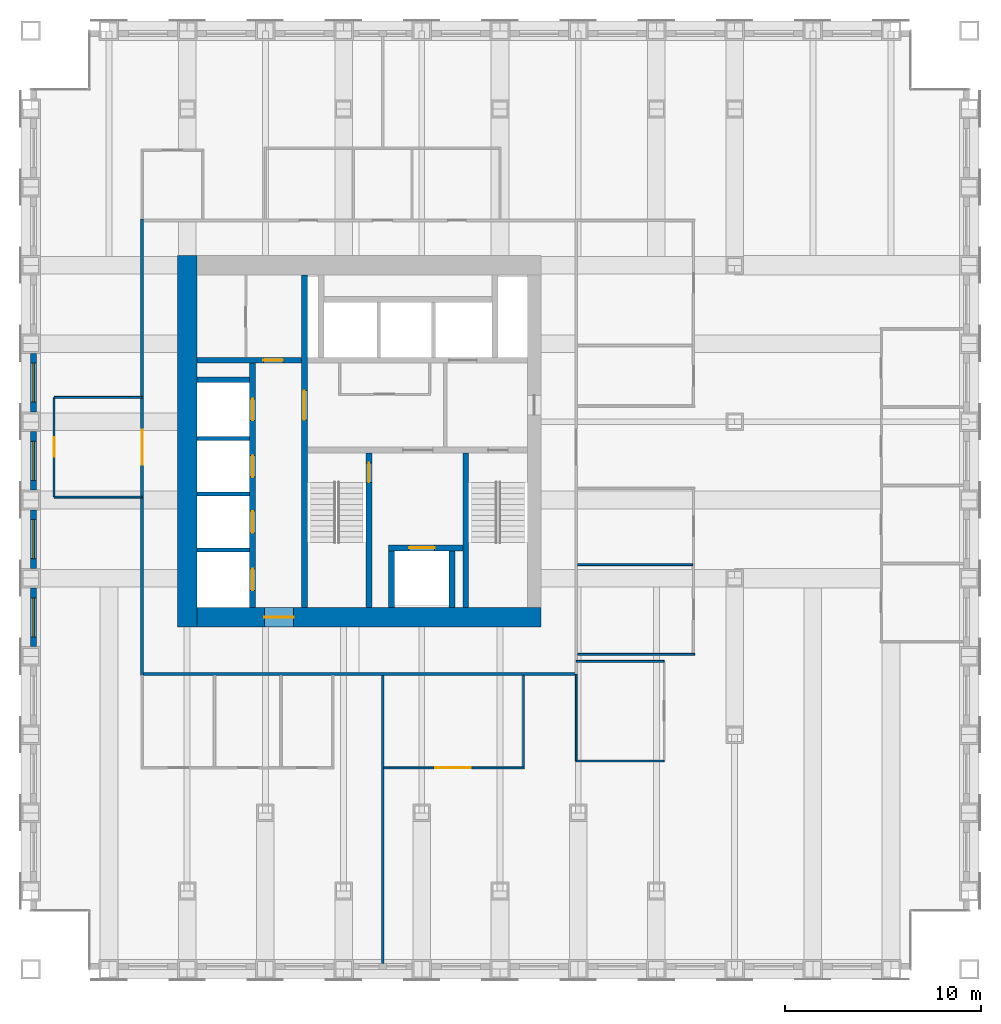
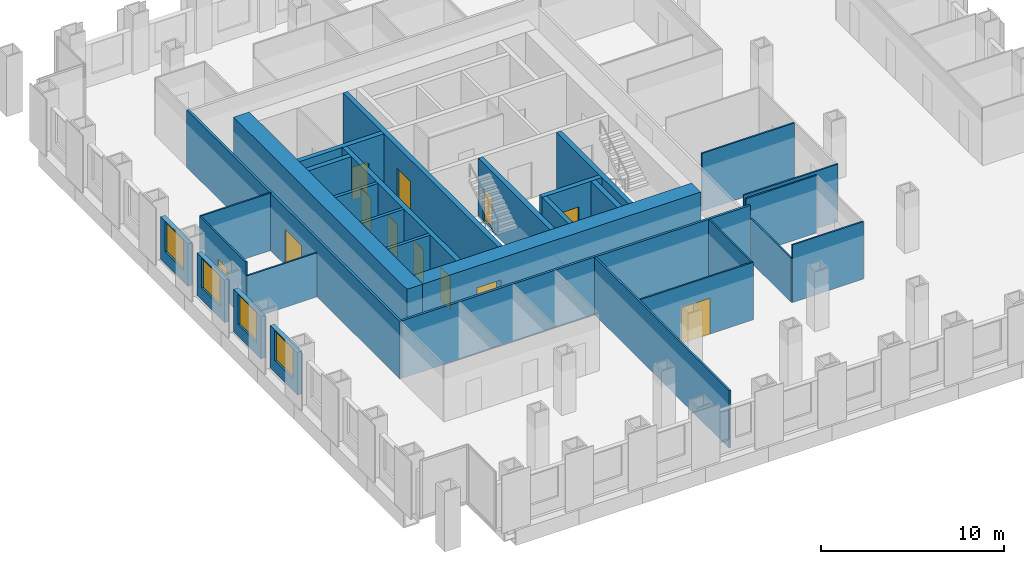
# One storey, part 11 of 16: 31 walls, 12 doors, 4 windows, 16 openings.
"""IFC4 building model written with IfcOpenShell, lengths in metres."""

from ifc_helpers import new_model, si_unit, direction, frame, frame_2d, origin, place, context, subcontext, project, spatial, rectangle, extrude, material, layer, layer_set, type_object, element, fill, save


model = new_model("IFC4")

# Units and contexts
model_context = context("Model", 3, precision=1e-05, world=origin(), true_north=direction((0.0, 1.0)))
body_context = subcontext(model_context, "Body", "Model", "MODEL_VIEW")
ifc_project = project(units=[si_unit("LENGTHUNIT", "METRE"), si_unit("AREAUNIT", "SQUARE_METRE"), si_unit("VOLUMEUNIT", "CUBIC_METRE"), si_unit("PLANEANGLEUNIT", "RADIAN"), si_unit("MASSUNIT", "GRAM", prefix="KILO")], contexts=[model_context])

# Site, building, storey
site_placement = place(None, origin())
site = spatial("IfcSite", under=ifc_project, at=site_placement, CompositionType="ELEMENT")
building_placement = place(site_placement, origin())
building = spatial("IfcBuilding", under=site, at=building_placement, Name="Rimbunsela Tower", CompositionType="ELEMENT")
storey_placement = place(building_placement, frame((0.0, 0.0, 89.39990234375)))
storey = spatial("IfcBuildingStorey", under=building, at=storey_placement, Name="L21", CompositionType="ELEMENT", Elevation=89.39990234375)

# Wall, opening, door
ifc_material_1 = material(Name="Concrete fc' 80 MPa", Category="concrete")
ifc_layer_1 = layer(ifc_material_1, 0.300048828125)
ifc_layer_set_1 = layer_set([ifc_layer_1], Name="Core internal wall 300")
wall_type_1 = type_object("IfcWallType", Name="Core internal wall 300", PredefinedType="SHEAR", material=ifc_layer_set_1)
wall_1_placement = place(storey_placement, frame((24.0, 18.5, -0.14990234375), z_axis=(0.0, 0.0, 1.0), x_axis=(0.0, 1.0, 0.0)))
wall_1 = element("IfcWall", 1, at=wall_1_placement, inside=storey, type_object=wall_type_1, Name="Core wall at stair A", PredefinedType="SHEAR", context=body_context, shape_type="SweptSolid", body=[
    extrude(rectangle(XDim=17.0, YDim=0.300048828125, at=frame_2d((8.5, 0.0))), origin(), (0.0, 0.0, 1.0), 4.0),
])
opening_1_placement = place(wall_1_placement, frame((9.60009765625, 0.0, 0.14990234375)))
opening_1 = element("IfcOpeningElement", 2, at=opening_1_placement, cuts=wall_1, Name="Opening D03", PredefinedType="OPENING", context=body_context, shape_type="SweptSolid", body=[
    extrude(rectangle(XDim=1.5, YDim=2.39990234375, at=frame_2d((0.75, 1.199951171875))), frame((0.0, 0.159912109375, 0.0), z_axis=(0.0, -1.0, 0.0), x_axis=(1.0, 0.0, 0.0)), (0.0, 0.0, 1.0), 0.320068359375),
])
ifc_material_2 = material(Name="Steel door, fire rated", Category="steel")
door_type_1 = type_object("IfcDoorType", Name="Core lobby door 1500", OperationType="DOUBLE_DOOR_DOUBLE_SWING", PredefinedType="DOOR", material=ifc_material_2)
door_1_placement = place(opening_1_placement, origin())
door_1 = element("IfcDoor", 3, at=door_1_placement, inside=storey, type_object=door_type_1, Name="West lobby door", OperationType="DOUBLE_DOOR_DOUBLE_SWING", OverallHeight=2.39990234375, OverallWidth=1.5, PredefinedType="DOOR", context=body_context, shape_type="SweptSolid", body=[
    extrude(rectangle(XDim=1.5, YDim=2.39990234375, at=frame_2d((0.75, 1.199951171875))), frame((0.0, 0.02490234375, 0.0), z_axis=(0.0, -1.0, 0.0), x_axis=(1.0, 0.0, 0.0)), (0.0, 0.0, 1.0), 0.050048828125),
])
fill(opening_1, door_1)

wall_2_placement = place(storey_placement, frame((27.300048828125, 18.5, -0.14990234375), z_axis=(0.0, 0.0, 1.0), x_axis=(0.0, 1.0, 0.0)))
wall_2 = element("IfcWall", 4, at=wall_2_placement, inside=storey, type_object=wall_type_1, Name="Stair A enclosure", PredefinedType="SHEAR", context=body_context, shape_type="SweptSolid", body=[
    extrude(rectangle(XDim=7.89990234375, YDim=0.300048828125, at=frame_2d((3.949951171875, 0.0))), origin(), (0.0, 0.0, 1.0), 4.0),
])
opening_2_placement = place(wall_2_placement, frame((6.39990234375, 0.0, 0.14990234375)))
opening_2 = element("IfcOpeningElement", 5, at=opening_2_placement, cuts=wall_2, Name="Opening D01", PredefinedType="OPENING", context=body_context, shape_type="SweptSolid", body=[
    extrude(rectangle(XDim=1.0, YDim=2.199951171875, at=frame_2d((0.5, 1.10009765625))), frame((0.0, 0.159912109375, 0.0), z_axis=(0.0, -1.0, 0.0), x_axis=(1.0, 0.0, 0.0)), (0.0, 0.0, 1.0), 0.320068359375),
])
ifc_material_3 = material(Name="Steel door, fire rated", Category="steel")
door_type_2 = type_object("IfcDoorType", Name="Stair door 1000", OperationType="SINGLE_SWING_RIGHT", PredefinedType="DOOR", material=ifc_material_3)
door_2_placement = place(opening_2_placement, origin())
door_2 = element("IfcDoor", 6, at=door_2_placement, inside=storey, type_object=door_type_2, Name="Stair A door", OperationType="SINGLE_SWING_RIGHT", OverallHeight=2.199951171875, OverallWidth=1.0, PredefinedType="DOOR", context=body_context, shape_type="SweptSolid", body=[
    extrude(rectangle(XDim=1.0, YDim=2.199951171875, at=frame_2d((0.5, 1.10009765625))), frame((0.0, 0.02490234375, 0.0), z_axis=(0.0, -1.0, 0.0), x_axis=(1.0, 0.0, 0.0)), (0.0, 0.0, 1.0), 0.050048828125),
])
fill(opening_2, door_2)

# Walls
wall_3_placement = place(storey_placement, frame((32.25, 18.5, -0.14990234375), z_axis=(0.0, 0.0, 1.0), x_axis=(0.0, 1.0, 0.0)))
element("IfcWall", 7, at=wall_3_placement, inside=storey, type_object=wall_type_1, Name="Stair B enclosure", PredefinedType="SHEAR", context=body_context, shape_type="SweptSolid", body=[
    extrude(rectangle(XDim=7.89990234375, YDim=0.300048828125, at=frame_2d((3.949951171875, 0.0))), origin(), (0.0, 0.0, 1.0), 4.0),
])
for number, where, z_axis, x_axis, name in (
    (8, (28.449951171875, 18.5, -0.14990234375), (0.0, 0.0, 1.0), (0.0, 1.0, 0.0), "Firefighting lift shaft west"),
    (9, (31.550048828125, 18.5, -0.14990234375), (0.0, 0.0, 1.0), (0.0, 1.0, 0.0), "Firefighting lift shaft east"),
):
    element("IfcWall", number, at=place(storey_placement, frame(where, z_axis=z_axis, x_axis=x_axis)), inside=storey, type_object=wall_type_1, Name=name, PredefinedType="SHEAR", context=body_context, shape_type="SweptSolid", body=[
        extrude(rectangle(XDim=2.89990234375, YDim=0.300048828125, at=frame_2d((1.449951171875, 0.0))), origin(), (0.0, 0.0, 1.0), 4.0),
    ])

# Wall, opening, door
wall_4_placement = place(storey_placement, frame((28.300048828125, 21.550048828125, -0.14990234375), z_axis=(0.0, 0.0, 1.0), x_axis=(1.0, 0.0, 0.0)))
wall_4 = element("IfcWall", 10, at=wall_4_placement, inside=storey, type_object=wall_type_1, Name="Firefighting lift shaft front", PredefinedType="SHEAR", context=body_context, shape_type="SweptSolid", body=[
    extrude(rectangle(XDim=3.800048828125, YDim=0.300048828125, at=frame_2d((1.89990234375, 0.0))), origin(), (0.0, 0.0, 1.0), 4.0),
])
opening_3_placement = place(wall_4_placement, frame((1.050048828125, 0.0, 0.14990234375)))
opening_3 = element("IfcOpeningElement", 11, at=opening_3_placement, cuts=wall_4, Name="Opening LD2", PredefinedType="OPENING", context=body_context, shape_type="SweptSolid", body=[
    extrude(rectangle(XDim=1.300048828125, YDim=2.39990234375, at=frame_2d((0.64990234375, 1.199951171875))), frame((0.0, 0.159912109375, 0.0), z_axis=(0.0, -1.0, 0.0), x_axis=(1.0, 0.0, 0.0)), (0.0, 0.0, 1.0), 0.320068359375),
])
ifc_material_4 = material(Name="Steel door, fire rated", Category="steel")
door_type_3 = type_object("IfcDoorType", Name="Lift landing door 1300", OperationType="DOUBLE_DOOR_SLIDING", PredefinedType="DOOR", material=ifc_material_4)
door_3_placement = place(opening_3_placement, origin())
door_3 = element("IfcDoor", 12, at=door_3_placement, inside=storey, type_object=door_type_3, Name="Lift landing door FL1", OperationType="DOUBLE_DOOR_SLIDING", OverallHeight=2.39990234375, OverallWidth=1.300048828125, PredefinedType="DOOR", context=body_context, shape_type="SweptSolid", body=[
    extrude(rectangle(XDim=1.300048828125, YDim=2.39990234375, at=frame_2d((0.64990234375, 1.199951171875))), frame((0.0, 0.02490234375, 0.0), z_axis=(0.0, -1.0, 0.0), x_axis=(1.0, 0.0, 0.0)), (0.0, 0.0, 1.0), 0.050048828125),
])
fill(opening_3, door_3)

# Wall, openings, doors
wall_5_placement = place(storey_placement, frame((21.35009765625, 18.5, -0.14990234375), z_axis=(0.0, 0.0, 1.0), x_axis=(0.0, 1.0, 0.0)))
wall_5 = element("IfcWall", 13, at=wall_5_placement, inside=storey, type_object=wall_type_1, Name="Lift shaft front west", PredefinedType="SHEAR", context=body_context, shape_type="SweptSolid", body=[
    extrude(rectangle(XDim=12.5, YDim=0.300048828125, at=frame_2d((6.25, 0.0))), origin(), (0.0, 0.0, 1.0), 4.0),
])
opening_4_placement = place(wall_5_placement, frame((0.875, 0.0, 0.14990234375)))
opening_4 = element("IfcOpeningElement", 14, at=opening_4_placement, cuts=wall_5, Name="Opening LD1", PredefinedType="OPENING", context=body_context, shape_type="SweptSolid", body=[
    extrude(rectangle(XDim=1.10009765625, YDim=2.199951171875, at=frame_2d((0.550048828125, 1.10009765625))), frame((0.0, 0.159912109375, 0.0), z_axis=(0.0, -1.0, 0.0), x_axis=(1.0, 0.0, 0.0)), (0.0, 0.0, 1.0), 0.320068359375),
])
opening_5_placement = place(wall_5_placement, frame((3.824951171875, 0.0, 0.14990234375)))
opening_5 = element("IfcOpeningElement", 15, at=opening_5_placement, cuts=wall_5, Name="Opening LD1", PredefinedType="OPENING", context=body_context, shape_type="SweptSolid", body=[
    extrude(rectangle(XDim=1.10009765625, YDim=2.199951171875, at=frame_2d((0.550048828125, 1.10009765625))), frame((0.0, 0.159912109375, 0.0), z_axis=(0.0, -1.0, 0.0), x_axis=(1.0, 0.0, 0.0)), (0.0, 0.0, 1.0), 0.320068359375),
])
opening_6_placement = place(wall_5_placement, frame((6.675048828125, 0.0, 0.14990234375)))
opening_6 = element("IfcOpeningElement", 16, at=opening_6_placement, cuts=wall_5, Name="Opening LD1", PredefinedType="OPENING", context=body_context, shape_type="SweptSolid", body=[
    extrude(rectangle(XDim=1.10009765625, YDim=2.199951171875, at=frame_2d((0.550048828125, 1.10009765625))), frame((0.0, 0.159912109375, 0.0), z_axis=(0.0, -1.0, 0.0), x_axis=(1.0, 0.0, 0.0)), (0.0, 0.0, 1.0), 0.320068359375),
])
opening_7_placement = place(wall_5_placement, frame((9.574951171875, 0.0, 0.14990234375)))
opening_7 = element("IfcOpeningElement", 17, at=opening_7_placement, cuts=wall_5, Name="Opening LD1", PredefinedType="OPENING", context=body_context, shape_type="SweptSolid", body=[
    extrude(rectangle(XDim=1.10009765625, YDim=2.199951171875, at=frame_2d((0.550048828125, 1.10009765625))), frame((0.0, 0.159912109375, 0.0), z_axis=(0.0, -1.0, 0.0), x_axis=(1.0, 0.0, 0.0)), (0.0, 0.0, 1.0), 0.320068359375),
])
ifc_material_5 = material(Name="Steel door, fire rated", Category="steel")
door_type_4 = type_object("IfcDoorType", Name="Lift landing door 1100", OperationType="DOUBLE_DOOR_SLIDING", PredefinedType="DOOR", material=ifc_material_5)
door_4_placement = place(opening_4_placement, origin())
door_4 = element("IfcDoor", 18, at=door_4_placement, inside=storey, type_object=door_type_4, Name="Lift landing door ML1", OperationType="DOUBLE_DOOR_SLIDING", OverallHeight=2.199951171875, OverallWidth=1.10009765625, PredefinedType="DOOR", context=body_context, shape_type="SweptSolid", body=[
    extrude(rectangle(XDim=1.10009765625, YDim=2.199951171875, at=frame_2d((0.550048828125, 1.10009765625))), frame((0.0, 0.02490234375, 0.0), z_axis=(0.0, -1.0, 0.0), x_axis=(1.0, 0.0, 0.0)), (0.0, 0.0, 1.0), 0.050048828125),
])
fill(opening_4, door_4)
door_5_placement = place(opening_5_placement, origin())
door_5 = element("IfcDoor", 19, at=door_5_placement, inside=storey, type_object=door_type_4, Name="Lift landing door ML2", OperationType="DOUBLE_DOOR_SLIDING", OverallHeight=2.199951171875, OverallWidth=1.10009765625, PredefinedType="DOOR", context=body_context, shape_type="SweptSolid", body=[
    extrude(rectangle(XDim=1.10009765625, YDim=2.199951171875, at=frame_2d((0.550048828125, 1.10009765625))), frame((0.0, 0.02490234375, 0.0), z_axis=(0.0, -1.0, 0.0), x_axis=(1.0, 0.0, 0.0)), (0.0, 0.0, 1.0), 0.050048828125),
])
fill(opening_5, door_5)
door_6_placement = place(opening_6_placement, origin())
door_6 = element("IfcDoor", 20, at=door_6_placement, inside=storey, type_object=door_type_4, Name="Lift landing door ML3", OperationType="DOUBLE_DOOR_SLIDING", OverallHeight=2.199951171875, OverallWidth=1.10009765625, PredefinedType="DOOR", context=body_context, shape_type="SweptSolid", body=[
    extrude(rectangle(XDim=1.10009765625, YDim=2.199951171875, at=frame_2d((0.550048828125, 1.10009765625))), frame((0.0, 0.02490234375, 0.0), z_axis=(0.0, -1.0, 0.0), x_axis=(1.0, 0.0, 0.0)), (0.0, 0.0, 1.0), 0.050048828125),
])
fill(opening_6, door_6)
door_7_placement = place(opening_7_placement, origin())
door_7 = element("IfcDoor", 21, at=door_7_placement, inside=storey, type_object=door_type_4, Name="Lift landing door ML4", OperationType="DOUBLE_DOOR_SLIDING", OverallHeight=2.199951171875, OverallWidth=1.10009765625, PredefinedType="DOOR", context=body_context, shape_type="SweptSolid", body=[
    extrude(rectangle(XDim=1.10009765625, YDim=2.199951171875, at=frame_2d((0.550048828125, 1.10009765625))), frame((0.0, 0.02490234375, 0.0), z_axis=(0.0, -1.0, 0.0), x_axis=(1.0, 0.0, 0.0)), (0.0, 0.0, 1.0), 0.050048828125),
])
fill(opening_7, door_7)

# Wall, opening, door
wall_6_placement = place(storey_placement, frame((18.5, 31.14990234375, -0.14990234375), z_axis=(0.0, 0.0, 1.0), x_axis=(1.0, 0.0, 0.0)))
wall_6 = element("IfcWall", 22, at=wall_6_placement, inside=storey, type_object=wall_type_1, Name="Store wall", PredefinedType="SHEAR", context=body_context, shape_type="SweptSolid", body=[
    extrude(rectangle(XDim=5.35009765625, YDim=0.300048828125, at=frame_2d((2.675048828125, 0.0))), origin(), (0.0, 0.0, 1.0), 4.0),
])
opening_8_placement = place(wall_6_placement, frame((3.39990234375, 0.0, 0.14990234375)))
opening_8 = element("IfcOpeningElement", 23, at=opening_8_placement, cuts=wall_6, Name="Opening D19", PredefinedType="OPENING", context=body_context, shape_type="SweptSolid", body=[
    extrude(rectangle(XDim=1.0, YDim=2.199951171875, at=frame_2d((0.5, 1.10009765625))), frame((0.0, 0.159912109375, 0.0), z_axis=(0.0, -1.0, 0.0), x_axis=(1.0, 0.0, 0.0)), (0.0, 0.0, 1.0), 0.320068359375),
])
ifc_material_6 = material(Name="Steel door, fire rated", Category="steel")
door_type_5 = type_object("IfcDoorType", Name="Service door 1000 fire rated", OperationType="SINGLE_SWING_LEFT", PredefinedType="DOOR", material=ifc_material_6)
door_8_placement = place(opening_8_placement, origin())
door_8 = element("IfcDoor", 24, at=door_8_placement, inside=storey, type_object=door_type_5, Name="Facilities store door", OperationType="SINGLE_SWING_LEFT", OverallHeight=2.199951171875, OverallWidth=1.0, PredefinedType="DOOR", context=body_context, shape_type="SweptSolid", body=[
    extrude(rectangle(XDim=1.0, YDim=2.199951171875, at=frame_2d((0.5, 1.10009765625))), frame((0.0, 0.02490234375, 0.0), z_axis=(0.0, -1.0, 0.0), x_axis=(1.0, 0.0, 0.0)), (0.0, 0.0, 1.0), 0.050048828125),
])
fill(opening_8, door_8)

# Walls
wall_7_placement = place(storey_placement, frame((18.5, 30.14990234375, -0.14990234375), z_axis=(0.0, 0.0, 1.0), x_axis=(1.0, 0.0, 0.0)))
element("IfcWall", 25, at=wall_7_placement, inside=storey, type_object=wall_type_1, Name="Lift shaft rear west", PredefinedType="SHEAR", context=body_context, shape_type="SweptSolid", body=[
    extrude(rectangle(XDim=2.699951171875, YDim=0.300048828125, at=frame_2d((1.35009765625, 0.0))), origin(), (0.0, 0.0, 1.0), 4.0),
])
ifc_material_7 = material(Name="Concrete fc' 80 MPa", Category="concrete")
ifc_layer_2 = layer(ifc_material_7, 1.0)
ifc_layer_set_2 = layer_set([ifc_layer_2], Name="Core wall 1000")
wall_type_2 = type_object("IfcWallType", Name="Core wall 1000", PredefinedType="SHEAR", material=ifc_layer_set_2)
wall_8_placement = place(storey_placement, frame((18.0, 17.5, -0.14990234375), z_axis=(0.0, 0.0, 1.0), x_axis=(0.0, 1.0, 0.0)))
element("IfcWall", 26, at=wall_8_placement, inside=storey, type_object=wall_type_2, Name="Core wall west", PredefinedType="SHEAR", context=body_context, shape_type="SweptSolid", body=[
    extrude(rectangle(XDim=19.0, YDim=1.0, at=frame_2d((9.5, 0.0))), origin(), (0.0, 0.0, 1.0), 4.0),
])

# Wall, opening, door
wall_9_placement = place(storey_placement, frame((18.5, 18.0, -0.14990234375), z_axis=(0.0, 0.0, 1.0), x_axis=(1.0, 0.0, 0.0)))
wall_9 = element("IfcWall", 27, at=wall_9_placement, inside=storey, type_object=wall_type_2, Name="Core wall south", PredefinedType="SHEAR", context=body_context, shape_type="SweptSolid", body=[
    extrude(rectangle(XDim=17.60009765625, YDim=1.0, at=frame_2d((8.800048828125, 0.0))), origin(), (0.0, 0.0, 1.0), 4.0),
])
opening_9_placement = place(wall_9_placement, frame((3.449951171875, 0.0, 0.14990234375)))
opening_9 = element("IfcOpeningElement", 28, at=opening_9_placement, cuts=wall_9, Name="Opening D03", PredefinedType="OPENING", context=body_context, shape_type="SweptSolid", body=[
    extrude(rectangle(XDim=1.5, YDim=2.39990234375, at=frame_2d((0.75, 1.199951171875))), frame((0.0, 0.510009765625, 0.0), z_axis=(0.0, -1.0, 0.0), x_axis=(1.0, 0.0, 0.0)), (0.0, 0.0, 1.0), 1.02001953125),
])
door_9_placement = place(opening_9_placement, origin())
door_9 = element("IfcDoor", 29, at=door_9_placement, inside=storey, type_object=door_type_1, Name="Core door south", OperationType="DOUBLE_DOOR_DOUBLE_SWING", OverallHeight=2.39990234375, OverallWidth=1.5, PredefinedType="DOOR", context=body_context, shape_type="SweptSolid", body=[
    extrude(rectangle(XDim=1.5, YDim=2.39990234375, at=frame_2d((0.75, 1.199951171875))), frame((0.0, 0.02490234375, 0.0), z_axis=(0.0, -1.0, 0.0), x_axis=(1.0, 0.0, 0.0)), (0.0, 0.0, 1.0), 0.050048828125),
])
fill(opening_9, door_9)

# Walls
ifc_material_8 = material(Name="Concrete blockwork", Category="masonry")
ifc_layer_3 = layer(ifc_material_8, 0.199951171875)
ifc_layer_set_3 = layer_set([ifc_layer_3], Name="Lift shaft wall 200")
wall_type_3 = type_object("IfcWallType", Name="Lift shaft wall 200", PredefinedType="SOLIDWALL", material=ifc_layer_set_3)
for number, where, z_axis, x_axis, name in (
    (30, (18.5, 21.449951171875, -0.14990234375), (0.0, 0.0, 1.0), (1.0, 0.0, 0.0), "Lift shaft separation"),
    (31, (18.5, 24.300048828125, -0.14990234375), (0.0, 0.0, 1.0), (1.0, 0.0, 0.0), "Lift shaft separation"),
    (32, (18.5, 27.14990234375, -0.14990234375), (0.0, 0.0, 1.0), (1.0, 0.0, 0.0), "Lift shaft separation"),
):
    element("IfcWall", number, at=place(storey_placement, frame(where, z_axis=z_axis, x_axis=x_axis)), inside=storey, type_object=wall_type_3, Name=name, PredefinedType="SOLIDWALL", context=body_context, shape_type="SweptSolid", body=[
        extrude(rectangle(XDim=2.699951171875, YDim=0.199951171875, at=frame_2d((1.35009765625, 0.0))), origin(), (0.0, 0.0, 1.0), 4.0),
    ])

# Wall, opening, door
ifc_material_9 = material(Name="Gypsum board on steel studs", Category="steel")
ifc_layer_4 = layer(ifc_material_9, 0.10009765625)
ifc_layer_set_4 = layer_set([ifc_layer_4], Name="Office partition 100")
wall_type_4 = type_object("IfcWallType", Name="Office partition 100", PredefinedType="PARTITIONING", material=ifc_layer_set_4)
wall_10_placement = place(storey_placement, frame((28.06103515625, 10.300048828125, 0.0), z_axis=(0.0, 0.0, 1.0), x_axis=(1.0, 0.0, 0.0)))
wall_10 = element("IfcWall", 33, at=wall_10_placement, inside=storey, type_object=wall_type_4, Name="Office partition", PredefinedType="PARTITIONING", context=body_context, shape_type="SweptSolid", body=[
    extrude(rectangle(XDim=7.18994140625, YDim=0.10009765625, at=frame_2d((3.594970703125, 0.0))), origin(), (0.0, 0.0, 1.0), 3.85009765625),
])
opening_10_placement = place(wall_10_placement, frame((2.639892578125, 0.0, 0.0)))
opening_10 = element("IfcOpeningElement", 34, at=opening_10_placement, cuts=wall_10, Name="Opening D18", PredefinedType="OPENING", context=body_context, shape_type="SweptSolid", body=[
    extrude(rectangle(XDim=1.800048828125, YDim=2.39990234375, at=frame_2d((0.89990234375, 1.199951171875))), frame((0.0, 0.06005859375, 0.0), z_axis=(0.0, -1.0, 0.0), x_axis=(1.0, 0.0, 0.0)), (0.0, 0.0, 1.0), 0.1201171875),
])
ifc_material_10 = material(Name="Glazed aluminium door", Category="aluminium")
door_type_6 = type_object("IfcDoorType", Name="Boardroom door 1800 glazed", OperationType="DOUBLE_DOOR_DOUBLE_SWING", PredefinedType="DOOR", material=ifc_material_10)
door_10_placement = place(opening_10_placement, origin())
door_10 = element("IfcDoor", 35, at=door_10_placement, inside=storey, type_object=door_type_6, Name="Boardroom door", OperationType="DOUBLE_DOOR_DOUBLE_SWING", OverallHeight=2.39990234375, OverallWidth=1.800048828125, PredefinedType="DOOR", context=body_context, shape_type="SweptSolid", body=[
    extrude(rectangle(XDim=1.800048828125, YDim=2.39990234375, at=frame_2d((0.89990234375, 1.199951171875))), frame((0.0, 0.02490234375, 0.0), z_axis=(0.0, -1.0, 0.0), x_axis=(1.0, 0.0, 0.0)), (0.0, 0.0, 1.0), 0.050048828125),
])
fill(opening_10, door_10)

# Walls
wall_11_placement = place(storey_placement, frame((37.97509765625, 16.10009765625, 0.0), z_axis=(0.0, 0.0, 1.0), x_axis=(1.0, 0.0, 0.0)))
element("IfcWall", 36, at=wall_11_placement, inside=storey, type_object=wall_type_4, Name="Office partition", PredefinedType="PARTITIONING", context=body_context, shape_type="SweptSolid", body=[
    extrude(rectangle(XDim=5.974853515625, YDim=0.10009765625, at=frame_2d((2.9873046875, 0.0))), origin(), (0.0, 0.0, 1.0), 3.85009765625),
])
wall_12_placement = place(storey_placement, frame((37.97509765625, 20.699951171875, 0.0), z_axis=(0.0, 0.0, 1.0), x_axis=(1.0, 0.0, 0.0)))
element("IfcWall", 37, at=wall_12_placement, inside=storey, type_object=wall_type_4, Name="Office partition", PredefinedType="PARTITIONING", context=body_context, shape_type="SweptSolid", body=[
    extrude(rectangle(XDim=5.875, YDim=0.10009765625, at=frame_2d((2.9375, 0.0))), origin(), (0.0, 0.0, 1.0), 3.85009765625),
])
wall_13_placement = place(storey_placement, frame((35.200927734375, 10.35009765625, 0.0), z_axis=(0.0, 0.0, 1.0), x_axis=(0.0, 1.0, 0.0)))
element("IfcWall", 38, at=wall_13_placement, inside=storey, type_object=wall_type_4, Name="Office partition", PredefinedType="PARTITIONING", context=body_context, shape_type="SweptSolid", body=[
    extrude(rectangle(XDim=4.6748046875, YDim=0.10009765625, at=frame_2d((2.33740234375, 0.0))), origin(), (0.0, 0.0, 1.0), 3.85009765625),
])
wall_14_placement = place(storey_placement, frame((15.699951171875, 29.25, 0.0), z_axis=(0.0, 0.0, 1.0), x_axis=(-1.0, 0.0, 0.0)))
element("IfcWall", 39, at=wall_14_placement, inside=storey, type_object=wall_type_4, Name="Office partition", PredefinedType="PARTITIONING", context=body_context, shape_type="SweptSolid", body=[
    extrude(rectangle(XDim=4.5, YDim=0.10009765625, at=frame_2d((2.25, 0.0))), origin(), (0.0, 0.0, 1.0), 3.85009765625),
])

# Wall, opening, door
wall_15_placement = place(storey_placement, frame((11.199951171875, 29.25, 0.0), z_axis=(0.0, 0.0, 1.0), x_axis=(0.0, -1.0, 0.0)))
wall_15 = element("IfcWall", 40, at=wall_15_placement, inside=storey, type_object=wall_type_4, Name="Office partition", PredefinedType="PARTITIONING", context=body_context, shape_type="SweptSolid", body=[
    extrude(rectangle(XDim=5.10009765625, YDim=0.10009765625, at=frame_2d((2.550048828125, 0.0))), origin(), (0.0, 0.0, 1.0), 3.85009765625),
])
opening_11_placement = place(wall_15_placement, frame((2.050048828125, 0.0, 0.0)))
opening_11 = element("IfcOpeningElement", 41, at=opening_11_placement, cuts=wall_15, Name="Opening D17", PredefinedType="OPENING", context=body_context, shape_type="SweptSolid", body=[
    extrude(rectangle(XDim=1.0, YDim=2.199951171875, at=frame_2d((0.5, 1.10009765625))), frame((0.0, 0.06005859375, 0.0), z_axis=(0.0, -1.0, 0.0), x_axis=(1.0, 0.0, 0.0)), (0.0, 0.0, 1.0), 0.1201171875),
])
ifc_material_11 = material(Name="Glazed aluminium door", Category="aluminium")
door_type_7 = type_object("IfcDoorType", Name="Meeting room door 1000 glazed", OperationType="SINGLE_SWING_RIGHT", PredefinedType="DOOR", material=ifc_material_11)
door_11_placement = place(opening_11_placement, origin())
door_11 = element("IfcDoor", 42, at=door_11_placement, inside=storey, type_object=door_type_7, Name="Reception door", OperationType="SINGLE_SWING_RIGHT", OverallHeight=2.199951171875, OverallWidth=1.0, PredefinedType="DOOR", context=body_context, shape_type="SweptSolid", body=[
    extrude(rectangle(XDim=1.0, YDim=2.199951171875, at=frame_2d((0.5, 1.10009765625))), frame((0.0, 0.02490234375, 0.0), z_axis=(0.0, -1.0, 0.0), x_axis=(1.0, 0.0, 0.0)), (0.0, 0.0, 1.0), 0.050048828125),
])
fill(opening_11, door_11)

# Walls
wall_16_placement = place(storey_placement, frame((11.199951171875, 24.14990234375, 0.0), z_axis=(0.0, 0.0, 1.0), x_axis=(1.0, 0.0, 0.0)))
element("IfcWall", 43, at=wall_16_placement, inside=storey, type_object=wall_type_4, Name="Office partition", PredefinedType="PARTITIONING", context=body_context, shape_type="SweptSolid", body=[
    extrude(rectangle(XDim=4.5, YDim=0.10009765625, at=frame_2d((2.25, 0.0))), origin(), (0.0, 0.0, 1.0), 2.9501953125),
])
wall_17_placement = place(storey_placement, frame((37.89990234375, 15.10009765625, 0.0), z_axis=(0.0, 0.0, 1.0), x_axis=(0.0, -1.0, 0.0)))
element("IfcWall", 44, at=wall_17_placement, inside=storey, type_object=wall_type_4, Name="Office partition", PredefinedType="PARTITIONING", context=body_context, shape_type="SweptSolid", body=[
    extrude(rectangle(XDim=4.4501953125, YDim=0.10009765625, at=frame_2d((2.22509765625, 0.0))), origin(), (0.0, 0.0, 1.0), 2.9501953125),
])
for number, where, z_axis, x_axis, name in (
    (45, (37.89990234375, 10.64990234375, 0.0), (0.0, 0.0, 1.0), (1.0, 0.0, 0.0), "Office partition"),
    (46, (42.39990234375, 15.75, 0.0), (0.0, 0.0, 1.0), (-1.0, 0.0, 0.0), "Office partition"),
):
    element("IfcWall", number, at=place(storey_placement, frame(where, z_axis=z_axis, x_axis=x_axis)), inside=storey, type_object=wall_type_4, Name=name, PredefinedType="PARTITIONING", context=body_context, shape_type="SweptSolid", body=[
        extrude(rectangle(XDim=4.5, YDim=0.10009765625, at=frame_2d((2.25, 0.0))), origin(), (0.0, 0.0, 1.0), 3.85009765625),
    ])

# Wall, opening, window
ifc_material_12 = material(Name="Precast concrete fc' 35 MPa", Category="concrete")
ifc_layer_5 = layer(ifc_material_12, 0.300048828125)
ifc_layer_set_5 = layer_set([ifc_layer_5], Name="Precast concrete fc' 35 MPa")
wall_type_5 = type_object("IfcWallType", Name="Precast facade panel 300", PredefinedType="ELEMENTEDWALL", material=ifc_layer_set_5)
wall_18_placement = place(storey_placement, frame((10.14990234375, 19.5, 0.0), z_axis=(0.0, 0.0, 1.0), x_axis=(0.0, -1.0, 0.0)))
wall_18 = element("IfcWall", 47, at=wall_18_placement, inside=storey, type_object=wall_type_5, Name="Facade panel W L21", PredefinedType="ELEMENTEDWALL", context=body_context, shape_type="SweptSolid", body=[
    extrude(rectangle(XDim=3.0, YDim=0.300048828125, at=frame_2d((1.5, 0.0))), origin(), (0.0, 0.0, 1.0), 2.85009765625),
])
opening_12_placement = place(wall_18_placement, frame((0.5, 0.0, 0.800048828125)))
opening_12 = element("IfcOpeningElement", 48, at=opening_12_placement, cuts=wall_18, Name="Opening W1", PredefinedType="OPENING", context=body_context, shape_type="SweptSolid", body=[
    extrude(rectangle(XDim=2.0, YDim=2.0, at=frame_2d((1.0, 1.0))), frame((0.0, 0.159912109375, 0.0), z_axis=(0.0, -1.0, 0.0), x_axis=(1.0, 0.0, 0.0)), (0.0, 0.0, 1.0), 0.320068359375),
])
ifc_material_13 = material(Name="Clear glass in aluminium frame", Category="aluminium")
window_type = type_object("IfcWindowType", Name="Window W1 2000x2000", PartitioningType="DOUBLE_PANEL_VERTICAL", PredefinedType="WINDOW", material=ifc_material_13)
window_1_placement = place(opening_12_placement, origin())
window_1 = element("IfcWindow", 49, at=window_1_placement, inside=storey, type_object=window_type, Name="Window L21", OverallHeight=2.0, OverallWidth=2.0, PartitioningType="SINGLE_PANEL", PredefinedType="WINDOW", context=body_context, shape_type="SweptSolid", body=[
    extrude(rectangle(XDim=2.0, YDim=2.0, at=frame_2d((1.0, 1.0))), frame((0.0, 0.030029296875, 0.0), z_axis=(0.0, -1.0, 0.0), x_axis=(1.0, 0.0, 0.0)), (0.0, 0.0, 1.0), 0.06005859375),
])
fill(opening_12, window_1)

wall_19_placement = place(storey_placement, frame((10.14990234375, 23.5, 0.0), z_axis=(0.0, 0.0, 1.0), x_axis=(0.0, -1.0, 0.0)))
wall_19 = element("IfcWall", 50, at=wall_19_placement, inside=storey, type_object=wall_type_5, Name="Facade panel W L21", PredefinedType="ELEMENTEDWALL", context=body_context, shape_type="SweptSolid", body=[
    extrude(rectangle(XDim=3.0, YDim=0.300048828125, at=frame_2d((1.5, 0.0))), origin(), (0.0, 0.0, 1.0), 2.85009765625),
])
opening_13_placement = place(wall_19_placement, frame((0.5, 0.0, 0.800048828125)))
opening_13 = element("IfcOpeningElement", 51, at=opening_13_placement, cuts=wall_19, Name="Opening W1", PredefinedType="OPENING", context=body_context, shape_type="SweptSolid", body=[
    extrude(rectangle(XDim=2.0, YDim=2.0, at=frame_2d((1.0, 1.0))), frame((0.0, 0.159912109375, 0.0), z_axis=(0.0, -1.0, 0.0), x_axis=(1.0, 0.0, 0.0)), (0.0, 0.0, 1.0), 0.320068359375),
])
window_2_placement = place(opening_13_placement, origin())
window_2 = element("IfcWindow", 52, at=window_2_placement, inside=storey, type_object=window_type, Name="Window L21", OverallHeight=2.0, OverallWidth=2.0, PartitioningType="SINGLE_PANEL", PredefinedType="WINDOW", context=body_context, shape_type="SweptSolid", body=[
    extrude(rectangle(XDim=2.0, YDim=2.0, at=frame_2d((1.0, 1.0))), frame((0.0, 0.030029296875, 0.0), z_axis=(0.0, -1.0, 0.0), x_axis=(1.0, 0.0, 0.0)), (0.0, 0.0, 1.0), 0.06005859375),
])
fill(opening_13, window_2)

wall_20_placement = place(storey_placement, frame((10.14990234375, 27.5, 0.0), z_axis=(0.0, 0.0, 1.0), x_axis=(0.0, -1.0, 0.0)))
wall_20 = element("IfcWall", 53, at=wall_20_placement, inside=storey, type_object=wall_type_5, Name="Facade panel W L21", PredefinedType="ELEMENTEDWALL", context=body_context, shape_type="SweptSolid", body=[
    extrude(rectangle(XDim=3.0, YDim=0.300048828125, at=frame_2d((1.5, 0.0))), origin(), (0.0, 0.0, 1.0), 2.85009765625),
])
opening_14_placement = place(wall_20_placement, frame((0.5, 0.0, 0.800048828125)))
opening_14 = element("IfcOpeningElement", 54, at=opening_14_placement, cuts=wall_20, Name="Opening W1", PredefinedType="OPENING", context=body_context, shape_type="SweptSolid", body=[
    extrude(rectangle(XDim=2.0, YDim=2.0, at=frame_2d((1.0, 1.0))), frame((0.0, 0.159912109375, 0.0), z_axis=(0.0, -1.0, 0.0), x_axis=(1.0, 0.0, 0.0)), (0.0, 0.0, 1.0), 0.320068359375),
])
window_3_placement = place(opening_14_placement, origin())
window_3 = element("IfcWindow", 55, at=window_3_placement, inside=storey, type_object=window_type, Name="Window L21", OverallHeight=2.0, OverallWidth=2.0, PartitioningType="SINGLE_PANEL", PredefinedType="WINDOW", context=body_context, shape_type="SweptSolid", body=[
    extrude(rectangle(XDim=2.0, YDim=2.0, at=frame_2d((1.0, 1.0))), frame((0.0, 0.030029296875, 0.0), z_axis=(0.0, -1.0, 0.0), x_axis=(1.0, 0.0, 0.0)), (0.0, 0.0, 1.0), 0.06005859375),
])
fill(opening_14, window_3)

wall_21_placement = place(storey_placement, frame((10.14990234375, 31.5, 0.0), z_axis=(0.0, 0.0, 1.0), x_axis=(0.0, -1.0, 0.0)))
wall_21 = element("IfcWall", 56, at=wall_21_placement, inside=storey, type_object=wall_type_5, Name="Facade panel W L21", PredefinedType="ELEMENTEDWALL", context=body_context, shape_type="SweptSolid", body=[
    extrude(rectangle(XDim=3.0, YDim=0.300048828125, at=frame_2d((1.5, 0.0))), origin(), (0.0, 0.0, 1.0), 2.85009765625),
])
opening_15_placement = place(wall_21_placement, frame((0.5, 0.0, 0.800048828125)))
opening_15 = element("IfcOpeningElement", 57, at=opening_15_placement, cuts=wall_21, Name="Opening W1", PredefinedType="OPENING", context=body_context, shape_type="SweptSolid", body=[
    extrude(rectangle(XDim=2.0, YDim=2.0, at=frame_2d((1.0, 1.0))), frame((0.0, 0.159912109375, 0.0), z_axis=(0.0, -1.0, 0.0), x_axis=(1.0, 0.0, 0.0)), (0.0, 0.0, 1.0), 0.320068359375),
])
window_4_placement = place(opening_15_placement, origin())
window_4 = element("IfcWindow", 58, at=window_4_placement, inside=storey, type_object=window_type, Name="Window L21", OverallHeight=2.0, OverallWidth=2.0, PartitioningType="SINGLE_PANEL", PredefinedType="WINDOW", context=body_context, shape_type="SweptSolid", body=[
    extrude(rectangle(XDim=2.0, YDim=2.0, at=frame_2d((1.0, 1.0))), frame((0.0, 0.030029296875, 0.0), z_axis=(0.0, -1.0, 0.0), x_axis=(1.0, 0.0, 0.0)), (0.0, 0.0, 1.0), 0.06005859375),
])
fill(opening_15, window_4)

# Wall, opening, door
ifc_material_14 = material(Name="Fire-rated gypsum board on steel studs, EI 60", Category="steel")
ifc_layer_6 = layer(ifc_material_14, 0.14990234375)
ifc_layer_set_6 = layer_set([ifc_layer_6], Name="Rated corridor wall 150")
wall_type_6 = type_object("IfcWallType", Name="Rated corridor wall 150", PredefinedType="PARTITIONING", material=ifc_layer_set_6)
wall_22_placement = place(storey_placement, frame((15.699951171875, 15.02490234375, 0.0), z_axis=(0.0, 0.0, 1.0), x_axis=(0.0, 1.0, 0.0)))
wall_22 = element("IfcWall", 59, at=wall_22_placement, inside=storey, type_object=wall_type_6, Name="Corridor wall west", PredefinedType="PARTITIONING", context=body_context, shape_type="SweptSolid", body=[
    extrude(rectangle(XDim=23.35009765625, YDim=0.14990234375, at=frame_2d((11.675048828125, 0.0))), origin(), (0.0, 0.0, 1.0), 3.85009765625),
])
opening_16_placement = place(wall_22_placement, frame((10.77490234375, 0.0, 0.0)))
opening_16 = element("IfcOpeningElement", 60, at=opening_16_placement, cuts=wall_22, Name="Opening D09", PredefinedType="OPENING", context=body_context, shape_type="SweptSolid", body=[
    extrude(rectangle(XDim=1.800048828125, YDim=2.39990234375, at=frame_2d((0.89990234375, 1.199951171875))), frame((0.0, 0.0849609375, 0.0), z_axis=(0.0, -1.0, 0.0), x_axis=(1.0, 0.0, 0.0)), (0.0, 0.0, 1.0), 0.169921875),
])
ifc_material_15 = material(Name="Glazed aluminium door, fire rated", Category="aluminium")
door_type_8 = type_object("IfcDoorType", Name="Tenancy door 1800 glazed", OperationType="DOUBLE_DOOR_DOUBLE_SWING", PredefinedType="DOOR", material=ifc_material_15)
door_12_placement = place(opening_16_placement, origin())
door_12 = element("IfcDoor", 61, at=door_12_placement, inside=storey, type_object=door_type_8, Name="Tenancy door", OperationType="DOUBLE_DOOR_DOUBLE_SWING", OverallHeight=2.39990234375, OverallWidth=1.800048828125, PredefinedType="DOOR", context=body_context, shape_type="SweptSolid", body=[
    extrude(rectangle(XDim=1.800048828125, YDim=2.39990234375, at=frame_2d((0.89990234375, 1.199951171875))), frame((0.0, 0.02490234375, 0.0), z_axis=(0.0, -1.0, 0.0), x_axis=(1.0, 0.0, 0.0)), (0.0, 0.0, 1.0), 0.050048828125),
])
fill(opening_16, door_12)

# Walls
wall_23_placement = place(storey_placement, frame((15.77490234375, 15.10009765625, 0.0), z_axis=(0.0, 0.0, 1.0), x_axis=(1.0, 0.0, 0.0)))
element("IfcWall", 62, at=wall_23_placement, inside=storey, type_object=wall_type_6, Name="Corridor wall south", PredefinedType="PARTITIONING", context=body_context, shape_type="SweptSolid", body=[
    extrude(rectangle(XDim=22.050048828125, YDim=0.14990234375, at=frame_2d((11.02490234375, 0.0))), origin(), (0.0, 0.0, 1.0), 3.85009765625),
])
ifc_material_16 = material(Name="Gypsum board on steel studs", Category="steel")
ifc_layer_7 = layer(ifc_material_16, 0.1201171875)
ifc_layer_set_7 = layer_set([ifc_layer_7], Name="Tenancy partition 120")
wall_type_7 = type_object("IfcWallType", Name="Tenancy partition 120", PredefinedType="PARTITIONING", material=ifc_layer_set_7)
wall_24_placement = place(storey_placement, frame((28.0, 0.300048828125, 0.0), z_axis=(0.0, 0.0, 1.0), x_axis=(0.0, 1.0, 0.0)))
element("IfcWall", 63, at=wall_24_placement, inside=storey, type_object=wall_type_7, Name="Tenancy partition south", PredefinedType="PARTITIONING", context=body_context, shape_type="SweptSolid", body=[
    extrude(rectangle(XDim=14.724853515625, YDim=0.1201171875, at=frame_2d((7.3623046875, 0.0))), origin(), (0.0, 0.0, 1.0), 3.85009765625),
])

save(model, "model.ifc")
